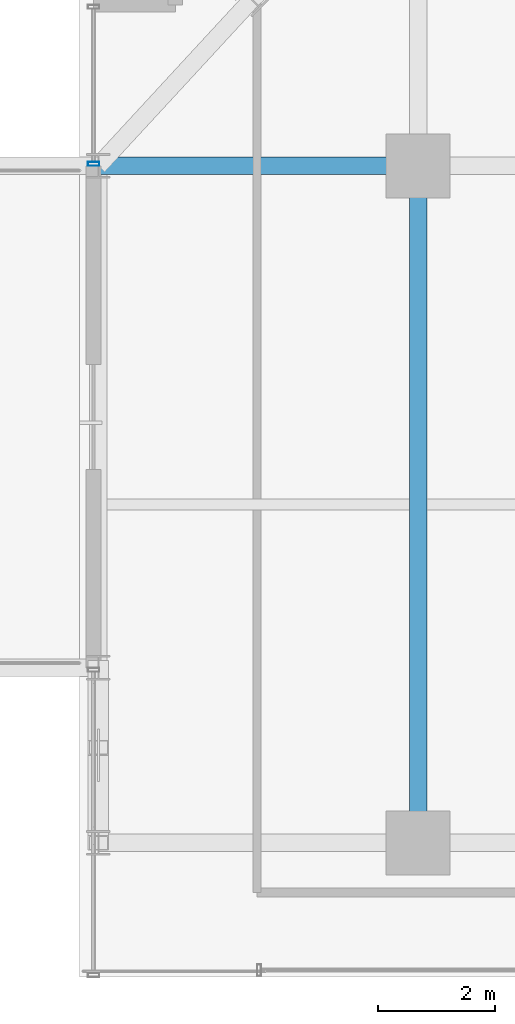
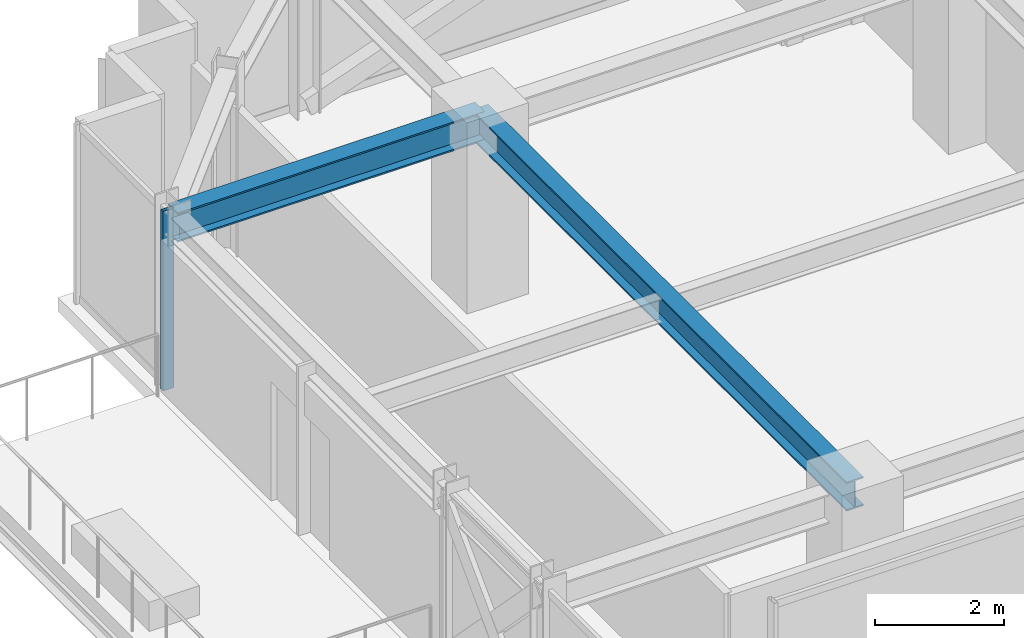
# One storey, part 22 of 43: 2 beams, 1 member, 1 element without a shape of its own.
"""IFC4 building model written with IfcOpenShell, lengths in metres."""

from ifc_helpers import new_model, si_unit, direction, frame, origin, origin_2d, place, context, subcontext, project, spatial, hollow_rectangle, i_section, extrude, source, transform, mapped, material, material_profile, profile_set, type_object, element, aggregate, save


model = new_model("IFC4")

# Units and contexts
model_context = context("Model", 3, precision=1e-05, world=origin(), true_north=direction((0.0, 1.0)))
body_context = subcontext(model_context, "Body", "Model", "MODEL_VIEW")
ifc_project = project(units=[si_unit("LENGTHUNIT", "METRE"), si_unit("AREAUNIT", "SQUARE_METRE"), si_unit("VOLUMEUNIT", "CUBIC_METRE"), si_unit("PLANEANGLEUNIT", "RADIAN"), si_unit("MASSUNIT", "GRAM", prefix="KILO")], contexts=[model_context])

# Site, building, storey
site_placement = place(None, origin())
site = spatial("IfcSite", under=ifc_project, at=site_placement, CompositionType="ELEMENT")
building_placement = place(site_placement, origin())
building = spatial("IfcBuilding", under=site, at=building_placement, Name="Nahalor Promenade Grand Hotel", CompositionType="ELEMENT")
storey_placement = place(building_placement, frame((0.0, 0.0, 181.85009765625)))
storey = spatial("IfcBuildingStorey", under=building, at=storey_placement, Name="L46", CompositionType="ELEMENT", Elevation=181.85009765625)

# Beams
ifc_material_1 = material(Name="Steel S355JR", Category="steel")
ifc_material_profile_1 = material_profile(ifc_material_1, i_section(OverallWidth=0.3, OverallDepth=0.55, WebThickness=0.015, FlangeThickness=0.029, at=origin_2d()), Name="HEB 550")
ifc_profile_set_1 = profile_set([ifc_material_profile_1], Name="Steel S355JR")
beam_type = type_object("IfcBeamType", Name="Beam-Girder-HEB550", PredefinedType="BEAM", material=ifc_profile_set_1)
shared_shape_1 = source(origin(), body_context, "Body", "SweptSolid", [
    extrude(i_section(OverallWidth=0.3, OverallDepth=0.55, WebThickness=0.015, FlangeThickness=0.029, at=origin_2d()), origin(), (0.0, 0.0, 1.0), 11.60009765625),
])
beam_1_placement = place(storey_placement, frame((-17.0, 5.39990234375, 3.114990234375), z_axis=(0.0, 1.0, 0.0), x_axis=(-1.0, 0.0, 0.0)))
element("IfcBeam", 1, at=beam_1_placement, inside=storey, type_object=beam_type, Name="BM-L46-GY-0-3", PredefinedType="BEAM", context=body_context, shape_type="MappedRepresentation", body=[
    mapped(shared_shape_1, transform((0.0, 0.0, 0.0), scale=1.0)),
])
shared_shape_2 = source(origin(), body_context, "Body", "SweptSolid", [
    extrude(i_section(OverallWidth=0.3, OverallDepth=0.55, WebThickness=0.015, FlangeThickness=0.029, at=origin_2d()), origin(), (0.0, 0.0, 1.0), 5.47998046875),
])
beam_2_placement = place(storey_placement, frame((-22.47998046875, 17.0, 3.114990234375), z_axis=(1.0, 0.0, 0.0), x_axis=(0.0, 1.0, 0.0)))
element("IfcBeam", 2, at=beam_2_placement, inside=storey, type_object=beam_type, Name="BM-L46-GX-3-0", PredefinedType="BEAM", context=body_context, shape_type="MappedRepresentation", body=[
    mapped(shared_shape_2, transform((0.0, 0.0, 0.0), scale=1.0)),
])

# Curtain wall, member
ifc_material_2 = material(Name="Anodised Bronze Aluminium EN AW-6063 T6", Category="aluminium")
curtain_wall_type = type_object("IfcCurtainWallType", Name="CW3 Elliptical-Void Collar Unitised Curtain Wall", PredefinedType="USERDEFINED", material=ifc_material_2)
curtain_wall_placement = place(storey_placement, origin())
curtain_wall = element("IfcCurtainWall", 3, at=curtain_wall_placement, inside=storey, type_object=curtain_wall_type, Name="L46 Curtain Wall CW-L46-W-4", ObjectType="UNITISED_CURTAIN_WALL", PredefinedType="USERDEFINED")
ifc_material_profile_2 = material_profile(ifc_material_2, hollow_rectangle(XDim=0.07, YDim=0.2, WallThickness=0.005, at=origin_2d()), Name="CWM 70x200x5")
ifc_profile_set_2 = profile_set([ifc_material_profile_2], Name="Anodised Bronze Aluminium EN AW-6063 T6")
member_type = type_object("IfcMemberType", Name="CWM3 Void Collar Mullion 70x200", PredefinedType="MULLION", material=ifc_profile_set_2)
shared_shape_3 = source(origin(), body_context, "Body", "SweptSolid", [
    extrude(hollow_rectangle(XDim=0.07, YDim=0.2, WallThickness=0.005, at=origin_2d()), origin(), (0.0, 0.0, 1.0), 3.389892578125),
])
member_placement = place(storey_placement, frame((-22.56005859375, 17.034912109375, 0.0), z_axis=(0.0, 0.0, 1.0), x_axis=(0.0, 1.0, 0.0)))
member = element("IfcMember", 4, at=member_placement, type_object=member_type, Name="CW-L46-W-4 Mullion 0", PredefinedType="MULLION", context=body_context, shape_type="MappedRepresentation", body=[
    mapped(shared_shape_3, transform((0.0, 0.0, 0.0), scale=1.0)),
])
aggregate(curtain_wall, [member])

save(model, "model.ifc")
